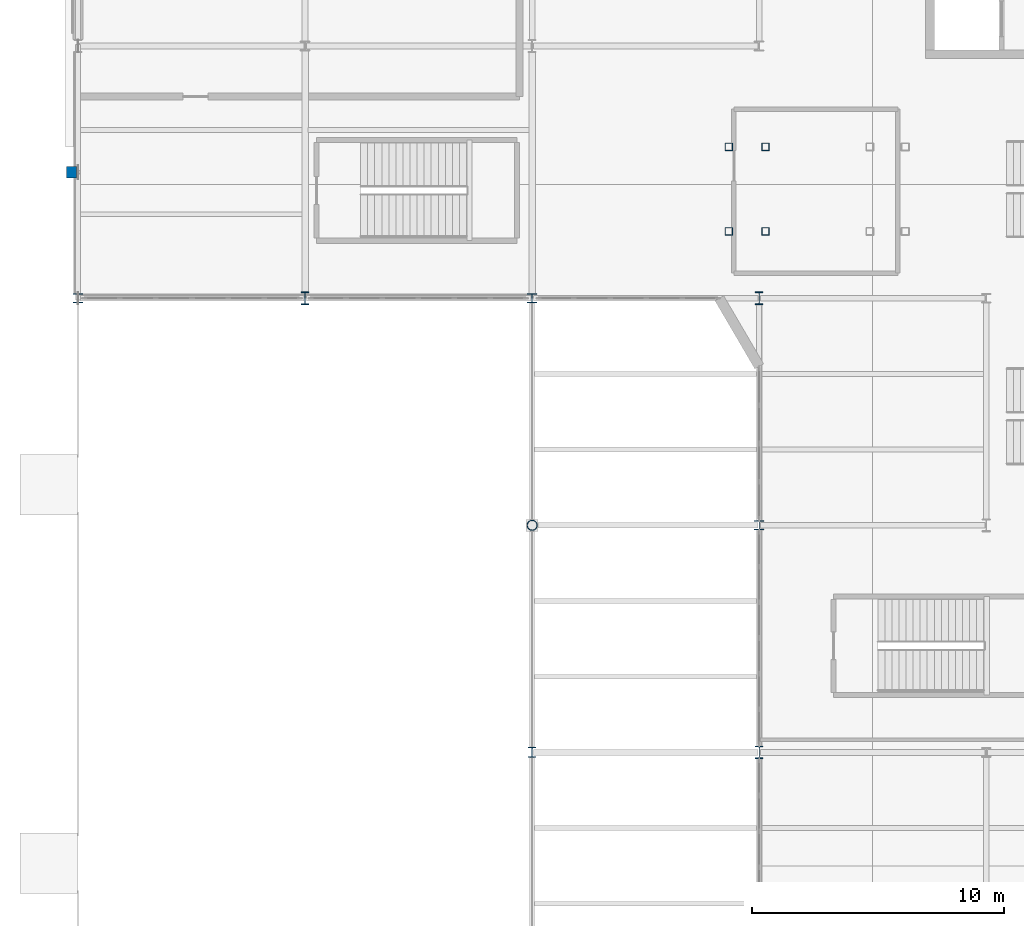
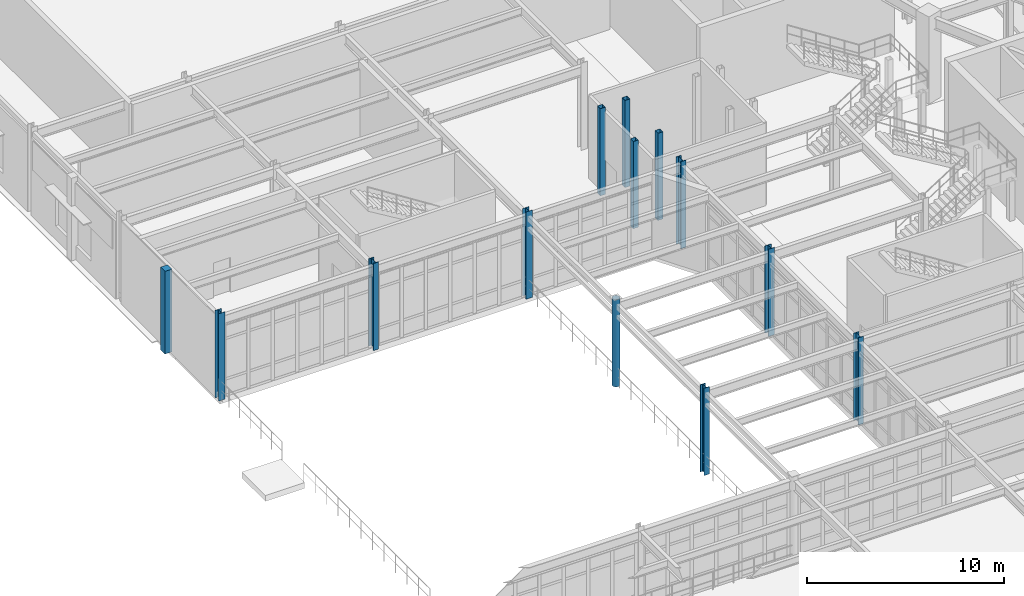
# One storey, part 3 of 79: 13 columns.
"""IFC4 building model written with IfcOpenShell, lengths in metres."""

from ifc_helpers import new_model, si_unit, direction, frame, origin, origin_2d, place, context, subcontext, project, spatial, rectangle, hollow_rectangle, hollow_circle, i_section, extrude, material, material_profile, profile_set, type_object, element, save


model = new_model("IFC4")

# Units and contexts
model_context = context("Model", 3, precision=1e-05, world=origin(), true_north=direction((0.0, 1.0)))
body_context = subcontext(model_context, "Body", "Model", "MODEL_VIEW")
ifc_project = project(units=[si_unit("LENGTHUNIT", "METRE"), si_unit("AREAUNIT", "SQUARE_METRE"), si_unit("VOLUMEUNIT", "CUBIC_METRE"), si_unit("PLANEANGLEUNIT", "RADIAN"), si_unit("MASSUNIT", "GRAM", prefix="KILO")], contexts=[model_context])

# Site, building, storey
site_placement = place(None, origin())
site = spatial("IfcSite", under=ifc_project, at=site_placement, CompositionType="ELEMENT")
building_placement = place(site_placement, origin())
building = spatial("IfcBuilding", under=site, at=building_placement, Name="Glasvene Arena", CompositionType="ELEMENT")
storey_placement = place(building_placement, origin())
storey = spatial("IfcBuildingStorey", under=building, at=storey_placement, Name="L00", CompositionType="ELEMENT", Elevation=0.0)

# Columns
ifc_material_1 = material(Name="Steel S355J2", Category="steel")
ifc_material_profile_1 = material_profile(ifc_material_1, hollow_circle(Radius=0.203125, WallThickness=0.01611328125, at=origin_2d()), Name="CHS 406.4x16.0")
ifc_profile_set_1 = profile_set([ifc_material_profile_1], Name="Steel S355J2")
column_type_1 = type_object("IfcColumnType", Name="COL-W-CHS406", PredefinedType="COLUMN", material=ifc_profile_set_1)
column_1_placement = place(storey_placement, frame((18.0, 45.0, 0.0), z_axis=(0.0, 0.0, 1.0), x_axis=(1.0, 0.0, 0.0)))
element("IfcColumn", 1, at=column_1_placement, inside=storey, type_object=column_type_1, Name="Grid column 3-6 L00", PredefinedType="COLUMN", context=body_context, shape_type="SweptSolid", body=[
    extrude(hollow_circle(Radius=0.203125, WallThickness=0.01611328125, at=origin_2d()), origin(), (0.0, 0.0, 1.0), 5.39990234375),
])
ifc_material_profile_2 = material_profile(ifc_material_1, i_section(OverallWidth=0.300048828125, OverallDepth=0.39990234375, WebThickness=0.013427734375, FlangeThickness=0.02392578125, FilletRadius=0.027099609375, at=origin_2d()), Name="HEB 400")
ifc_profile_set_2 = profile_set([ifc_material_profile_2], Name="Steel S355J2")
column_type_2 = type_object("IfcColumnType", Name="COL-W-HEB400", PredefinedType="COLUMN", material=ifc_profile_set_2)
column_2_placement = place(storey_placement, frame((18.0, 36.0, 0.0), z_axis=(0.0, 0.0, 1.0), x_axis=(1.0, 0.0, 0.0)))
element("IfcColumn", 2, at=column_2_placement, inside=storey, type_object=column_type_2, Name="Grid column 3-5 L00", PredefinedType="COLUMN", context=body_context, shape_type="SweptSolid", body=[
    extrude(i_section(OverallWidth=0.300048828125, OverallDepth=0.39990234375, WebThickness=0.013427734375, FlangeThickness=0.02392578125, FilletRadius=0.027099609375, at=origin_2d()), origin(), (0.0, 0.0, 1.0), 5.39990234375),
])
ifc_material_profile_3 = material_profile(ifc_material_1, i_section(OverallWidth=0.300048828125, OverallDepth=0.5, WebThickness=0.014404296875, FlangeThickness=0.028076171875, FilletRadius=0.027099609375, at=origin_2d()), Name="HEB 500")
ifc_profile_set_3 = profile_set([ifc_material_profile_3], Name="Steel S355J2")
column_type_3 = type_object("IfcColumnType", Name="COL-W-HEB500", PredefinedType="COLUMN", material=ifc_profile_set_3)
for number, where, z_axis, x_axis, name in (
    (3, (9.0, 54.0, 0.0), (0.0, 0.0, 1.0), (1.0, 0.0, 0.0), "Grid column 2-7 L00"),
    (4, (27.0, 36.0, 0.0), (0.0, 0.0, 1.0), (1.0, 0.0, 0.0), "Grid column 4-5 L00"),
    (5, (27.0, 54.0, 0.0), (0.0, 0.0, 1.0), (1.0, 0.0, 0.0), "Grid column 4-7 L00"),
):
    element("IfcColumn", number, at=place(storey_placement, frame(where, z_axis=z_axis, x_axis=x_axis)), inside=storey, type_object=column_type_3, Name=name, PredefinedType="COLUMN", context=body_context, shape_type="SweptSolid", body=[
        extrude(i_section(OverallWidth=0.300048828125, OverallDepth=0.5, WebThickness=0.014404296875, FlangeThickness=0.028076171875, FilletRadius=0.027099609375, at=origin_2d()), origin(), (0.0, 0.0, 1.0), 5.39990234375),
    ])
ifc_material_profile_4 = material_profile(ifc_material_1, hollow_rectangle(XDim=0.300048828125, YDim=0.300048828125, WallThickness=0.012451171875, at=origin_2d()), Name="SHS 300x300x12.5")
ifc_profile_set_4 = profile_set([ifc_material_profile_4], Name="Steel S355J2")
column_type_4 = type_object("IfcColumnType", Name="COL-W-SHS300", PredefinedType="COLUMN", material=ifc_profile_set_4)
for number, where, z_axis, x_axis, name in (
    (6, (25.800048828125, 56.64990234375, 0.0), (0.0, 0.0, 1.0), (1.0, 0.0, 0.0), "Vomitory arrival support column VOM-05 L00"),
    (7, (25.800048828125, 60.0, 0.0), (0.0, 0.0, 1.0), (1.0, 0.0, 0.0), "Vomitory arrival support column VOM-05 L00"),
    (8, (27.25, 56.64990234375, 0.0), (0.0, 0.0, 1.0), (1.0, 0.0, 0.0), "Vomitory arrival support column VOM-05 L00"),
    (9, (27.25, 60.0, 0.0), (0.0, 0.0, 1.0), (1.0, 0.0, 0.0), "Vomitory arrival support column VOM-05 L00"),
):
    element("IfcColumn", number, at=place(storey_placement, frame(where, z_axis=z_axis, x_axis=x_axis)), inside=storey, type_object=column_type_4, Name=name, PredefinedType="COLUMN", context=body_context, shape_type="SweptSolid", body=[
        extrude(hollow_rectangle(XDim=0.300048828125, YDim=0.300048828125, WallThickness=0.012451171875, at=origin_2d()), origin(), (0.0, 0.0, 1.0), 5.39990234375),
    ])
ifc_material_profile_5 = material_profile(ifc_material_1, i_section(OverallWidth=0.37255859375, OverallDepth=0.3681640625, WebThickness=0.014404296875, FlangeThickness=0.023681640625, FilletRadius=0.01513671875, at=origin_2d()), Name="UKC 356x368x177")
ifc_profile_set_5 = profile_set([ifc_material_profile_5], Name="Steel S355J2")
column_type_5 = type_object("IfcColumnType", Name="COL-W-UKC177", PredefinedType="COLUMN", material=ifc_profile_set_5)
for number, where, z_axis, x_axis, name in (
    (10, (0.0, 54.0, 0.0), (0.0, 0.0, 1.0), (1.0, 0.0, 0.0), "Grid column 1-7 L00"),
    (11, (18.0, 54.0, 0.0), (0.0, 0.0, 1.0), (1.0, 0.0, 0.0), "Grid column 3-7 L00"),
    (12, (27.0, 45.0, 0.0), (0.0, 0.0, 1.0), (1.0, 0.0, 0.0), "Grid column 4-6 L00"),
):
    element("IfcColumn", number, at=place(storey_placement, frame(where, z_axis=z_axis, x_axis=x_axis)), inside=storey, type_object=column_type_5, Name=name, PredefinedType="COLUMN", context=body_context, shape_type="SweptSolid", body=[
        extrude(i_section(OverallWidth=0.37255859375, OverallDepth=0.3681640625, WebThickness=0.014404296875, FlangeThickness=0.023681640625, FilletRadius=0.01513671875, at=origin_2d()), origin(), (0.0, 0.0, 1.0), 5.39990234375),
    ])
ifc_material_2 = material(Name="Precast concrete C50/60", Category="concrete")
ifc_material_profile_6 = material_profile(ifc_material_2, rectangle(XDim=0.39990234375, YDim=0.449951171875, at=origin_2d()), Name="RC 400x450")
ifc_profile_set_6 = profile_set([ifc_material_profile_6], Name="Precast concrete C50/60")
column_type_6 = type_object("IfcColumnType", Name="PIL-LIM-400", PredefinedType="PILASTER", material=ifc_profile_set_6)
column_3_placement = place(storey_placement, frame((-0.260009765625, 59.0, 0.0), z_axis=(0.0, 0.0, 1.0), x_axis=(1.0, 0.0, 0.0)))
element("IfcColumn", 13, at=column_3_placement, inside=storey, type_object=column_type_6, Name="Limestone pilaster PL-07 L00", PredefinedType="PILASTER", context=body_context, shape_type="SweptSolid", body=[
    extrude(rectangle(XDim=0.39990234375, YDim=0.449951171875, at=origin_2d()), origin(), (0.0, 0.0, 1.0), 5.1201171875),
])

save(model, "model.ifc")
